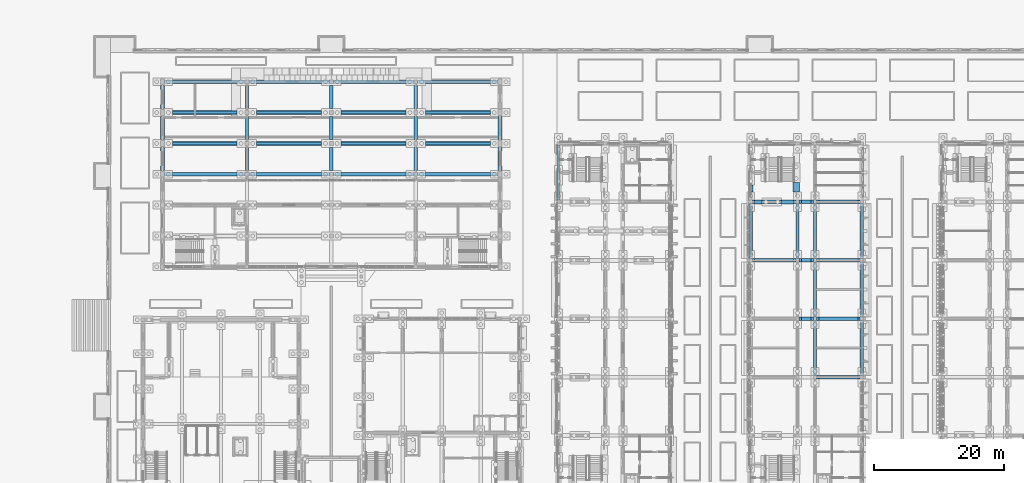
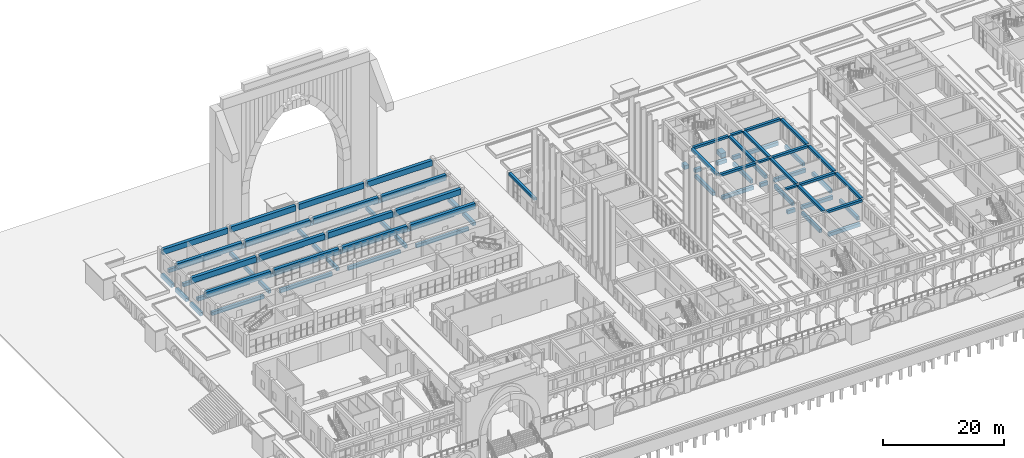
# One storey, part 28 of 161: 84 beams.
"""IFC4 building model written with IfcOpenShell, lengths in metres."""

from ifc_helpers import new_model, si_unit, direction, frame, origin, origin_2d, place, context, subcontext, project, spatial, rectangle, extrude, material, material_profile, profile_set, type_object, element, save


model = new_model("IFC4")

# Units and contexts
model_context = context("Model", 3, precision=1e-05, world=origin(), true_north=direction((0.0, 1.0)))
body_context = subcontext(model_context, "Body", "Model", "MODEL_VIEW")
ifc_project = project(units=[si_unit("LENGTHUNIT", "METRE"), si_unit("AREAUNIT", "SQUARE_METRE"), si_unit("VOLUMEUNIT", "CUBIC_METRE"), si_unit("PLANEANGLEUNIT", "RADIAN"), si_unit("MASSUNIT", "GRAM", prefix="KILO")], contexts=[model_context])

# Site, building, storey
site_placement = place(None, origin())
site = spatial("IfcSite", under=ifc_project, at=site_placement, CompositionType="ELEMENT")
building_placement = place(site_placement, origin())
building = spatial("IfcBuilding", under=site, at=building_placement, Name="Elbe Cascade School", CompositionType="ELEMENT")
storey_placement = place(building_placement, origin())
storey = spatial("IfcBuildingStorey", under=building, at=storey_placement, Name="L00", CompositionType="ELEMENT", Elevation=0.0)

# Beams
ifc_material_1 = material(Name="Concrete C30/37", Category="concrete")
ifc_material_profile_1 = material_profile(ifc_material_1, rectangle(XDim=1.0, YDim=0.89990234375, at=origin_2d()), Name="RC 1000x900")
ifc_profile_set_1 = profile_set([ifc_material_profile_1], Name="Concrete C30/37")
beam_type_1 = type_object("IfcBeamType", Name="Found ground beam RC 1000x900", PredefinedType="BEAM", material=ifc_profile_set_1)
beam_1_placement = place(storey_placement, frame((105.60009765625, 52.5, -0.75), z_axis=(0.0, 1.0, 0.0), x_axis=(-1.0, 0.0, 0.0)))
element("IfcBeam", 1, at=beam_1_placement, inside=storey, type_object=beam_type_1, Name="Ground beam 040", PredefinedType="BEAM", context=body_context, shape_type="SweptSolid", body=[
    extrude(rectangle(XDim=1.0, YDim=0.89990234375, at=origin_2d()), origin(), (0.0, 0.0, 1.0), 1.5),
])
ifc_material_2 = material(Name="Concrete C30/37", Category="concrete")
ifc_material_profile_2 = material_profile(ifc_material_2, rectangle(XDim=0.5, YDim=0.699951171875, at=origin_2d()), Name="RC 500x700")
ifc_profile_set_2 = profile_set([ifc_material_profile_2], Name="Concrete C30/37")
beam_type_2 = type_object("IfcBeamType", Name="Found ground beam RC 500x700", PredefinedType="BEAM", material=ifc_profile_set_2)
beam_2_placement = place(storey_placement, frame((109.10009765625, 24.0, -0.64990234375), z_axis=(1.0, 0.0, 0.0), x_axis=(0.0, 1.0, 0.0)))
element("IfcBeam", 2, at=beam_2_placement, inside=storey, type_object=beam_type_2, Name="Ground beam 224", PredefinedType="BEAM", context=body_context, shape_type="SweptSolid", body=[
    extrude(rectangle(XDim=0.5, YDim=0.699951171875, at=origin_2d()), origin(), (0.0, 0.0, 1.0), 6.0),
])
beam_3_placement = place(storey_placement, frame((106.39990234375, 33.0, -0.64990234375), z_axis=(1.0, 0.0, 0.0), x_axis=(0.0, 1.0, 0.0)))
element("IfcBeam", 3, at=beam_3_placement, inside=storey, type_object=beam_type_2, Name="Ground beam 226", PredefinedType="BEAM", context=body_context, shape_type="SweptSolid", body=[
    extrude(rectangle(XDim=0.5, YDim=0.699951171875, at=origin_2d()), origin(), (0.0, 0.0, 1.0), 1.5),
])
for number, where, z_axis, x_axis, name in (
    (4, (109.10009765625, 33.0, -0.64990234375), (1.0, 0.0, 0.0), (0.0, 1.0, 0.0), "Ground beam 227"),
    (5, (99.199951171875, 42.0, -0.64990234375), (1.0, 0.0, 0.0), (0.0, 1.0, 0.0), "Ground beam 228"),
):
    element("IfcBeam", number, at=place(storey_placement, frame(where, z_axis=z_axis, x_axis=x_axis)), inside=storey, type_object=beam_type_2, Name=name, PredefinedType="BEAM", context=body_context, shape_type="SweptSolid", body=[
        extrude(rectangle(XDim=0.5, YDim=0.699951171875, at=origin_2d()), origin(), (0.0, 0.0, 1.0), 6.0),
    ])
beam_4_placement = place(storey_placement, frame((106.39990234375, 42.0, -0.64990234375), z_axis=(1.0, 0.0, 0.0), x_axis=(0.0, 1.0, 0.0)))
element("IfcBeam", 6, at=beam_4_placement, inside=storey, type_object=beam_type_2, Name="Ground beam 229", PredefinedType="BEAM", context=body_context, shape_type="SweptSolid", body=[
    extrude(rectangle(XDim=0.5, YDim=0.699951171875, at=origin_2d()), origin(), (0.0, 0.0, 1.0), 1.5),
])
beam_5_placement = place(storey_placement, frame((109.10009765625, 42.0, -0.64990234375), z_axis=(1.0, 0.0, 0.0), x_axis=(0.0, 1.0, 0.0)))
element("IfcBeam", 7, at=beam_5_placement, inside=storey, type_object=beam_type_2, Name="Ground beam 230", PredefinedType="BEAM", context=body_context, shape_type="SweptSolid", body=[
    extrude(rectangle(XDim=0.5, YDim=0.699951171875, at=origin_2d()), origin(), (0.0, 0.0, 1.0), 6.0),
])
beam_6_placement = place(storey_placement, frame((106.39990234375, 51.0, -0.64990234375), z_axis=(1.0, 0.0, 0.0), x_axis=(0.0, 1.0, 0.0)))
element("IfcBeam", 8, at=beam_6_placement, inside=storey, type_object=beam_type_2, Name="Ground beam 231", PredefinedType="BEAM", context=body_context, shape_type="SweptSolid", body=[
    extrude(rectangle(XDim=0.5, YDim=0.699951171875, at=origin_2d()), origin(), (0.0, 0.0, 1.0), 1.5),
])
for number, where, z_axis, x_axis, name in (
    (9, (109.10009765625, 51.0, -0.64990234375), (1.0, 0.0, 0.0), (0.0, 1.0, 0.0), "Ground beam 232"),
    (10, (98.60009765625, 43.5, -0.64990234375), (0.0, 1.0, 0.0), (-1.0, 0.0, 0.0), "Ground beam 236"),
    (11, (105.800048828125, 43.5, -0.64990234375), (0.0, 1.0, 0.0), (-1.0, 0.0, 0.0), "Ground beam 240"),
    (12, (108.5, 25.5, -0.64990234375), (0.0, 1.0, 0.0), (-1.0, 0.0, 0.0), "Ground beam 243"),
    (13, (108.5, 34.5, -0.64990234375), (0.0, 1.0, 0.0), (-1.0, 0.0, 0.0), "Ground beam 244"),
    (14, (108.5, 43.5, -0.64990234375), (0.0, 1.0, 0.0), (-1.0, 0.0, 0.0), "Ground beam 245"),
    (15, (115.699951171875, 25.5, -0.64990234375), (0.0, 1.0, 0.0), (-1.0, 0.0, 0.0), "Ground beam 249"),
    (16, (115.699951171875, 34.5, -0.64990234375), (0.0, 1.0, 0.0), (-1.0, 0.0, 0.0), "Ground beam 250"),
    (17, (115.699951171875, 43.5, -0.64990234375), (0.0, 1.0, 0.0), (-1.0, 0.0, 0.0), "Ground beam 251"),
):
    element("IfcBeam", number, at=place(storey_placement, frame(where, z_axis=z_axis, x_axis=x_axis)), inside=storey, type_object=beam_type_2, Name=name, PredefinedType="BEAM", context=body_context, shape_type="SweptSolid", body=[
        extrude(rectangle(XDim=0.5, YDim=0.699951171875, at=origin_2d()), origin(), (0.0, 0.0, 1.0), 6.0),
    ])
for number, where, z_axis, x_axis, name in (
    (18, (9.5, 55.25, -0.64990234375), (1.0, 0.0, 0.0), (0.0, 1.0, 0.0), "Ground beam 339"),
    (19, (22.5, 55.25, -0.64990234375), (1.0, 0.0, 0.0), (0.0, 1.0, 0.0), "Ground beam 340"),
    (20, (35.5, 55.25, -0.64990234375), (1.0, 0.0, 0.0), (0.0, 1.0, 0.0), "Ground beam 341"),
    (21, (48.5, 55.25, -0.64990234375), (1.0, 0.0, 0.0), (0.0, 1.0, 0.0), "Ground beam 342"),
    (22, (9.5, 60.0, -0.64990234375), (1.0, 0.0, 0.0), (0.0, 1.0, 0.0), "Ground beam 343"),
    (23, (22.5, 60.0, -0.64990234375), (1.0, 0.0, 0.0), (0.0, 1.0, 0.0), "Ground beam 344"),
    (24, (35.5, 60.0, -0.64990234375), (1.0, 0.0, 0.0), (0.0, 1.0, 0.0), "Ground beam 345"),
    (25, (48.5, 60.0, -0.64990234375), (1.0, 0.0, 0.0), (0.0, 1.0, 0.0), "Ground beam 346"),
    (26, (9.5, 64.75, -0.64990234375), (1.0, 0.0, 0.0), (0.0, 1.0, 0.0), "Ground beam 347"),
    (27, (22.5, 64.75, -0.64990234375), (1.0, 0.0, 0.0), (0.0, 1.0, 0.0), "Ground beam 348"),
    (28, (35.5, 64.75, -0.64990234375), (1.0, 0.0, 0.0), (0.0, 1.0, 0.0), "Ground beam 349"),
    (29, (48.5, 64.75, -0.64990234375), (1.0, 0.0, 0.0), (0.0, 1.0, 0.0), "Ground beam 350"),
    (30, (9.5, 69.5, -0.64990234375), (1.0, 0.0, 0.0), (0.0, 1.0, 0.0), "Ground beam 351"),
    (31, (22.5, 69.5, -0.64990234375), (1.0, 0.0, 0.0), (0.0, 1.0, 0.0), "Ground beam 352"),
    (32, (35.5, 69.5, -0.64990234375), (1.0, 0.0, 0.0), (0.0, 1.0, 0.0), "Ground beam 353"),
    (33, (48.5, 69.5, -0.64990234375), (1.0, 0.0, 0.0), (0.0, 1.0, 0.0), "Ground beam 354"),
):
    element("IfcBeam", number, at=place(storey_placement, frame(where, z_axis=z_axis, x_axis=x_axis)), inside=storey, type_object=beam_type_2, Name=name, PredefinedType="BEAM", context=body_context, shape_type="SweptSolid", body=[
        extrude(rectangle(XDim=0.5, YDim=0.699951171875, at=origin_2d()), origin(), (0.0, 0.0, 1.0), 10.0),
    ])
for number, where, z_axis, x_axis, name in (
    (34, (21.0, 55.85009765625, -0.64990234375), (0.0, 1.0, 0.0), (-1.0, 0.0, 0.0), "Ground beam 358"),
    (35, (21.0, 60.60009765625, -0.64990234375), (0.0, 1.0, 0.0), (-1.0, 0.0, 0.0), "Ground beam 359"),
    (36, (21.0, 65.35009765625, -0.64990234375), (0.0, 1.0, 0.0), (-1.0, 0.0, 0.0), "Ground beam 360"),
    (37, (34.0, 55.85009765625, -0.64990234375), (0.0, 1.0, 0.0), (-1.0, 0.0, 0.0), "Ground beam 364"),
    (38, (34.0, 60.60009765625, -0.64990234375), (0.0, 1.0, 0.0), (-1.0, 0.0, 0.0), "Ground beam 365"),
    (39, (34.0, 65.35009765625, -0.64990234375), (0.0, 1.0, 0.0), (-1.0, 0.0, 0.0), "Ground beam 366"),
    (40, (47.0, 55.85009765625, -0.64990234375), (0.0, 1.0, 0.0), (-1.0, 0.0, 0.0), "Ground beam 370"),
    (41, (47.0, 60.60009765625, -0.64990234375), (0.0, 1.0, 0.0), (-1.0, 0.0, 0.0), "Ground beam 371"),
    (42, (47.0, 65.35009765625, -0.64990234375), (0.0, 1.0, 0.0), (-1.0, 0.0, 0.0), "Ground beam 372"),
):
    element("IfcBeam", number, at=place(storey_placement, frame(where, z_axis=z_axis, x_axis=x_axis)), inside=storey, type_object=beam_type_2, Name=name, PredefinedType="BEAM", context=body_context, shape_type="SweptSolid", body=[
        extrude(rectangle(XDim=0.5, YDim=0.699951171875, at=origin_2d()), origin(), (0.0, 0.0, 1.0), 3.5498046875),
    ])
ifc_material_3 = material(Name="Concrete C30/37", Category="concrete")
ifc_material_profile_3 = material_profile(ifc_material_3, rectangle(XDim=0.60009765625, YDim=0.699951171875, at=origin_2d()), Name="RC 600x700")
ifc_profile_set_3 = profile_set([ifc_material_profile_3], Name="Concrete C30/37")
beam_type_3 = type_object("IfcBeamType", Name="Found ground beam RC 600x700", PredefinedType="BEAM", material=ifc_profile_set_3)
for number, where, z_axis, x_axis, name in (
    (43, (60.0, 55.85009765625, -0.64990234375), (0.0, 1.0, 0.0), (-1.0, 0.0, 0.0), "Ground beam 093"),
    (44, (60.0, 60.60009765625, -0.64990234375), (0.0, 1.0, 0.0), (-1.0, 0.0, 0.0), "Ground beam 094"),
    (45, (8.0, 55.85009765625, -0.64990234375), (0.0, 1.0, 0.0), (-1.0, 0.0, 0.0), "Ground beam 099"),
    (46, (8.0, 60.60009765625, -0.64990234375), (0.0, 1.0, 0.0), (-1.0, 0.0, 0.0), "Ground beam 100"),
    (47, (8.0, 65.35009765625, -0.64990234375), (0.0, 1.0, 0.0), (-1.0, 0.0, 0.0), "Ground beam 101"),
):
    element("IfcBeam", number, at=place(storey_placement, frame(where, z_axis=z_axis, x_axis=x_axis)), inside=storey, type_object=beam_type_3, Name=name, PredefinedType="BEAM", context=body_context, shape_type="SweptSolid", body=[
        extrude(rectangle(XDim=0.60009765625, YDim=0.699951171875, at=origin_2d()), origin(), (0.0, 0.0, 1.0), 3.5498046875),
    ])
beam_7_placement = place(storey_placement, frame((99.199951171875, 51.0, -0.64990234375), z_axis=(1.0, 0.0, 0.0), x_axis=(0.0, 1.0, 0.0)))
element("IfcBeam", 48, at=beam_7_placement, inside=storey, type_object=beam_type_3, Name="Ground beam 154", PredefinedType="BEAM", context=body_context, shape_type="SweptSolid", body=[
    extrude(rectangle(XDim=0.60009765625, YDim=0.699951171875, at=origin_2d()), origin(), (0.0, 0.0, 1.0), 1.150146484375),
])
beam_8_placement = place(storey_placement, frame((103.35009765625, 51.0, -0.64990234375), z_axis=(1.0, 0.0, 0.0), x_axis=(0.0, 1.0, 0.0)))
element("IfcBeam", 49, at=beam_8_placement, inside=storey, type_object=beam_type_3, Name="Ground beam 155", PredefinedType="BEAM", context=body_context, shape_type="SweptSolid", body=[
    extrude(rectangle(XDim=0.60009765625, YDim=0.699951171875, at=origin_2d()), origin(), (0.0, 0.0, 1.0), 1.849853515625),
])
ifc_material_4 = material(Name="Concrete C30/37", Category="concrete")
ifc_material_profile_4 = material_profile(ifc_material_4, rectangle(XDim=0.800048828125, YDim=0.800048828125, at=origin_2d()), Name="RC 800x800")
ifc_profile_set_4 = profile_set([ifc_material_profile_4], Name="Concrete C30/37")
beam_type_4 = type_object("IfcBeamType", Name="Found ground beam RC 800x800", PredefinedType="BEAM", material=ifc_profile_set_4)
beam_9_placement = place(storey_placement, frame((98.580078125, 52.5, -0.699951171875), z_axis=(0.0, 1.0, 0.0), x_axis=(-1.0, 0.0, 0.0)))
element("IfcBeam", 50, at=beam_9_placement, inside=storey, type_object=beam_type_4, Name="Ground beam 082", PredefinedType="BEAM", context=body_context, shape_type="SweptSolid", body=[
    extrude(rectangle(XDim=0.800048828125, YDim=0.800048828125, at=origin_2d()), origin(), (0.0, 0.0, 1.0), 1.110107421875),
])
ifc_material_5 = material(Name="Concrete C35/45", Category="concrete")
ifc_material_profile_5 = material_profile(ifc_material_5, rectangle(XDim=0.60009765625, YDim=1.10009765625, at=origin_2d()), Name="RC 600x1100")
ifc_profile_set_5 = profile_set([ifc_material_profile_5], Name="Concrete C35/45")
beam_type_5 = type_object("IfcBeamType", Name="Hall floor beam RC 600x1100", PredefinedType="BEAM", material=ifc_profile_set_5)
for number, where, z_axis, x_axis, name in (
    (51, (8.300048828125, 55.25, 3.60009765625), (1.0, 0.0, 0.0), (0.0, 1.0, 0.0), "Hall floor beam RC 600x1100 B13"),
    (52, (21.300048828125, 55.25, 3.60009765625), (1.0, 0.0, 0.0), (0.0, 1.0, 0.0), "Hall floor beam RC 600x1100 B13"),
    (53, (34.300048828125, 55.25, 3.60009765625), (1.0, 0.0, 0.0), (0.0, 1.0, 0.0), "Hall floor beam RC 600x1100 B13"),
    (54, (47.300048828125, 55.25, 3.60009765625), (1.0, 0.0, 0.0), (0.0, 1.0, 0.0), "Hall floor beam RC 600x1100 B13"),
    (55, (8.300048828125, 60.0, 3.60009765625), (1.0, 0.0, 0.0), (0.0, 1.0, 0.0), "Hall floor beam RC 600x1100 B13"),
    (56, (21.300048828125, 60.0, 3.60009765625), (1.0, 0.0, 0.0), (0.0, 1.0, 0.0), "Hall floor beam RC 600x1100 B13"),
    (57, (34.300048828125, 60.0, 3.60009765625), (1.0, 0.0, 0.0), (0.0, 1.0, 0.0), "Hall floor beam RC 600x1100 B13"),
    (58, (47.300048828125, 60.0, 3.60009765625), (1.0, 0.0, 0.0), (0.0, 1.0, 0.0), "Hall floor beam RC 600x1100 B13"),
    (59, (8.300048828125, 64.75, 3.60009765625), (1.0, 0.0, 0.0), (0.0, 1.0, 0.0), "Hall floor beam RC 600x1100 B13"),
    (60, (21.300048828125, 64.75, 3.60009765625), (1.0, 0.0, 0.0), (0.0, 1.0, 0.0), "Hall floor beam RC 600x1100 B13"),
    (61, (34.300048828125, 64.75, 3.60009765625), (1.0, 0.0, 0.0), (0.0, 1.0, 0.0), "Hall floor beam RC 600x1100 B13"),
    (62, (47.300048828125, 64.75, 3.60009765625), (1.0, 0.0, 0.0), (0.0, 1.0, 0.0), "Hall floor beam RC 600x1100 B13"),
    (63, (8.300048828125, 69.5, 3.60009765625), (1.0, 0.0, 0.0), (0.0, 1.0, 0.0), "Hall floor beam RC 600x1100 B13"),
    (64, (21.300048828125, 69.5, 3.60009765625), (1.0, 0.0, 0.0), (0.0, 1.0, 0.0), "Hall floor beam RC 600x1100 B13"),
    (65, (34.300048828125, 69.5, 3.60009765625), (1.0, 0.0, 0.0), (0.0, 1.0, 0.0), "Hall floor beam RC 600x1100 B13"),
    (66, (47.300048828125, 69.5, 3.60009765625), (1.0, 0.0, 0.0), (0.0, 1.0, 0.0), "Hall floor beam RC 600x1100 B13"),
):
    element("IfcBeam", number, at=place(storey_placement, frame(where, z_axis=z_axis, x_axis=x_axis)), inside=storey, type_object=beam_type_5, Name=name, PredefinedType="BEAM", context=body_context, shape_type="SweptSolid", body=[
        extrude(rectangle(XDim=0.60009765625, YDim=1.10009765625, at=origin_2d()), origin(), (0.0, 0.0, 1.0), 12.39990234375),
    ])
ifc_material_6 = material(Name="Concrete C30/37", Category="concrete")
ifc_material_profile_6 = material_profile(ifc_material_6, rectangle(XDim=0.5, YDim=0.35009765625, at=origin_2d()), Name="RC 500x350")
ifc_profile_set_6 = profile_set([ifc_material_profile_6], Name="Concrete C30/37")
beam_type_6 = type_object("IfcBeamType", Name="RC 500x350 beam", PredefinedType="BEAM", material=ifc_profile_set_6)
for number, where, z_axis, x_axis, name in (
    (67, (106.050048828125, 33.0, 4.074951171875), (1.0, 0.0, 0.0), (0.0, 1.0, 0.0), "RC 500x350 beam B8"),
    (68, (106.050048828125, 42.0, 4.074951171875), (1.0, 0.0, 0.0), (0.0, 1.0, 0.0), "RC 500x350 beam B8"),
    (69, (106.050048828125, 51.0, 4.074951171875), (1.0, 0.0, 0.0), (0.0, 1.0, 0.0), "RC 500x350 beam B8"),
):
    element("IfcBeam", number, at=place(storey_placement, frame(where, z_axis=z_axis, x_axis=x_axis)), inside=storey, type_object=beam_type_6, Name=name, PredefinedType="BEAM", context=body_context, shape_type="SweptSolid", body=[
        extrude(rectangle(XDim=0.5, YDim=0.35009765625, at=origin_2d()), origin(), (0.0, 0.0, 1.0), 2.199951171875),
    ])
ifc_material_7 = material(Name="Concrete C30/37", Category="concrete")
ifc_material_profile_7 = material_profile(ifc_material_7, rectangle(XDim=0.5, YDim=0.449951171875, at=origin_2d()), Name="RC 500x450")
ifc_profile_set_7 = profile_set([ifc_material_profile_7], Name="Concrete C30/37")
beam_type_7 = type_object("IfcBeamType", Name="RC 500x450 beam", PredefinedType="BEAM", material=ifc_profile_set_7)
for number, where, z_axis, x_axis, name in (
    (70, (105.800048828125, 42.25, 4.02490234375), (0.0, 1.0, 0.0), (-1.0, 0.0, 0.0), "RC 500x450 beam B7"),
    (71, (108.5, 24.25, 4.02490234375), (0.0, 1.0, 0.0), (-1.0, 0.0, 0.0), "RC 500x450 beam B7"),
    (72, (108.5, 33.25, 4.02490234375), (0.0, 1.0, 0.0), (-1.0, 0.0, 0.0), "RC 500x450 beam B7"),
    (73, (108.5, 42.25, 4.02490234375), (0.0, 1.0, 0.0), (-1.0, 0.0, 0.0), "RC 500x450 beam B7"),
):
    element("IfcBeam", number, at=place(storey_placement, frame(where, z_axis=z_axis, x_axis=x_axis)), inside=storey, type_object=beam_type_7, Name=name, PredefinedType="BEAM", context=body_context, shape_type="SweptSolid", body=[
        extrude(rectangle(XDim=0.5, YDim=0.449951171875, at=origin_2d()), origin(), (0.0, 0.0, 1.0), 8.5),
    ])
for number, where, z_axis, x_axis, name in (
    (74, (108.75, 24.0, 4.02490234375), (1.0, 0.0, 0.0), (0.0, 1.0, 0.0), "RC 500x450 beam B7"),
    (75, (108.75, 33.0, 4.02490234375), (1.0, 0.0, 0.0), (0.0, 1.0, 0.0), "RC 500x450 beam B7"),
    (76, (98.85009765625, 42.0, 4.02490234375), (1.0, 0.0, 0.0), (0.0, 1.0, 0.0), "RC 500x450 beam B7"),
    (77, (108.75, 42.0, 4.02490234375), (1.0, 0.0, 0.0), (0.0, 1.0, 0.0), "RC 500x450 beam B7"),
    (78, (98.85009765625, 51.0, 4.02490234375), (1.0, 0.0, 0.0), (0.0, 1.0, 0.0), "RC 500x450 beam B7"),
    (79, (108.75, 51.0, 4.02490234375), (1.0, 0.0, 0.0), (0.0, 1.0, 0.0), "RC 500x450 beam B7"),
):
    element("IfcBeam", number, at=place(storey_placement, frame(where, z_axis=z_axis, x_axis=x_axis)), inside=storey, type_object=beam_type_7, Name=name, PredefinedType="BEAM", context=body_context, shape_type="SweptSolid", body=[
        extrude(rectangle(XDim=0.5, YDim=0.449951171875, at=origin_2d()), origin(), (0.0, 0.0, 1.0), 6.699951171875),
    ])
ifc_material_8 = material(Name="Concrete C30/37", Category="concrete")
ifc_material_profile_8 = material_profile(ifc_material_8, rectangle(XDim=0.5, YDim=0.5, at=origin_2d()), Name="RC 500x500")
ifc_profile_set_8 = profile_set([ifc_material_profile_8], Name="Concrete C30/37")
beam_type_8 = type_object("IfcBeamType", Name="RC 500x500 beam", PredefinedType="BEAM", material=ifc_profile_set_8)
for number, where, z_axis, x_axis, name in (
    (80, (69.0, 51.25, 4.0), (0.0, 1.0, 0.0), (-1.0, 0.0, 0.0), "RC 500x500 beam B6"),
    (81, (98.60009765625, 42.25, 4.0), (0.0, 1.0, 0.0), (-1.0, 0.0, 0.0), "RC 500x500 beam B6"),
    (82, (115.699951171875, 24.25, 4.0), (0.0, 1.0, 0.0), (-1.0, 0.0, 0.0), "RC 500x500 beam B6"),
    (83, (115.699951171875, 33.25, 4.0), (0.0, 1.0, 0.0), (-1.0, 0.0, 0.0), "RC 500x500 beam B6"),
    (84, (115.699951171875, 42.25, 4.0), (0.0, 1.0, 0.0), (-1.0, 0.0, 0.0), "RC 500x500 beam B6"),
):
    element("IfcBeam", number, at=place(storey_placement, frame(where, z_axis=z_axis, x_axis=x_axis)), inside=storey, type_object=beam_type_8, Name=name, PredefinedType="BEAM", context=body_context, shape_type="SweptSolid", body=[
        extrude(rectangle(XDim=0.5, YDim=0.5, at=origin_2d()), origin(), (0.0, 0.0, 1.0), 8.5),
    ])

save(model, "model.ifc")
